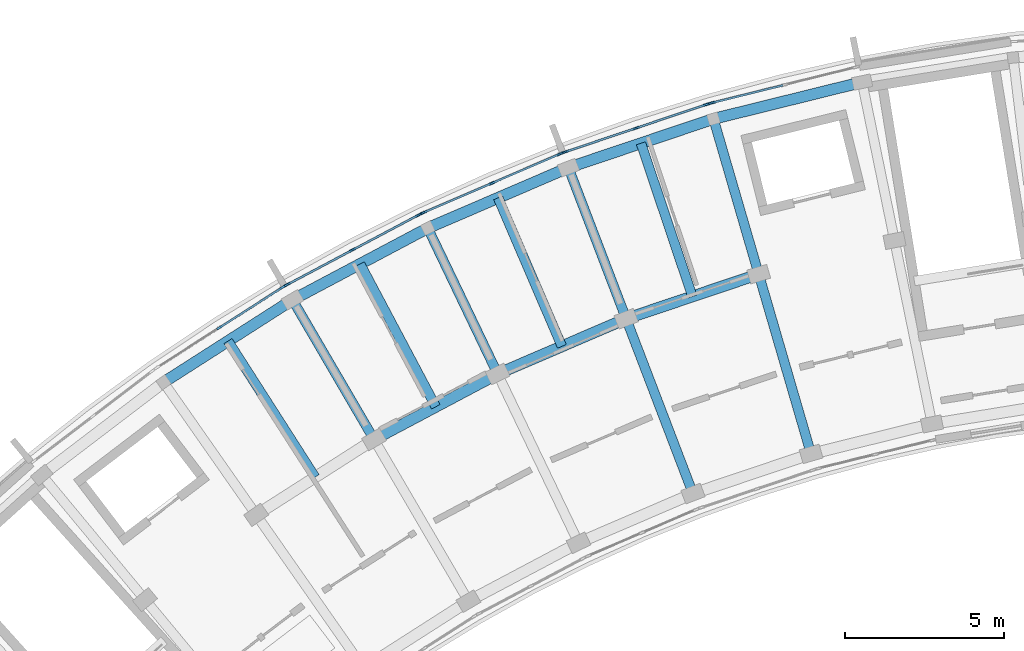
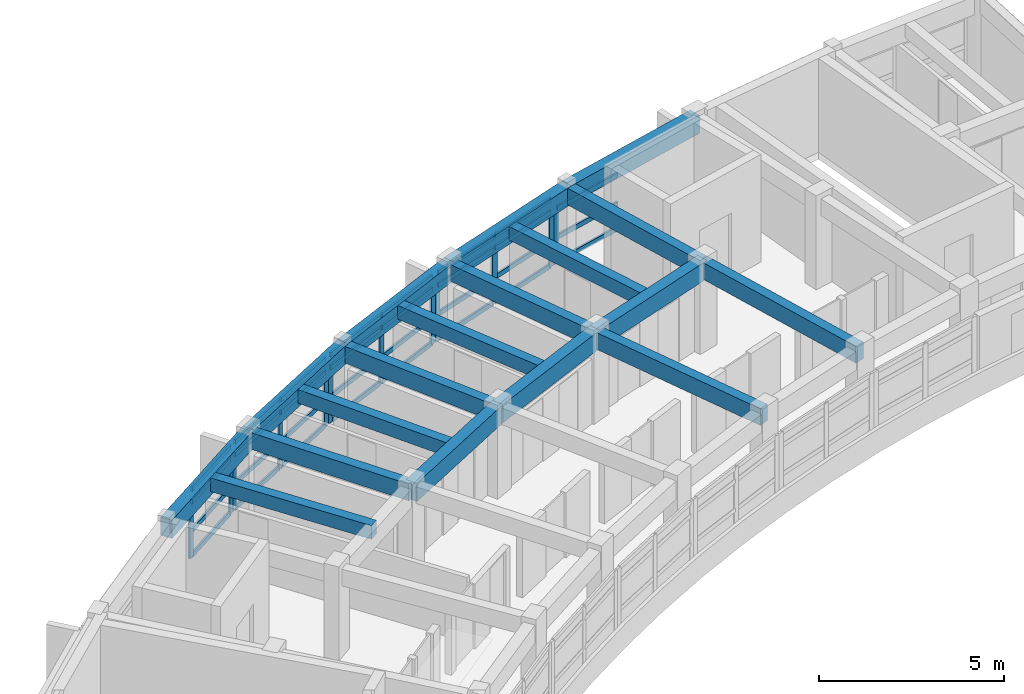
# One storey, part 4 of 11: 43 members, 18 beams, 5 elements without a shape of their own.
"""IFC4 building model written with IfcOpenShell, lengths in metres."""

from ifc_helpers import new_model, si_unit, direction, frame, origin, origin_2d, place, context, subcontext, project, spatial, rectangle, extrude, material, material_profile, profile_set, type_object, element, aggregate, save


model = new_model("IFC4")

# Units and contexts
model_context = context("Model", 3, precision=1e-05, world=origin(), true_north=direction((0.0, 1.0)))
body_context = subcontext(model_context, "Body", "Model", "MODEL_VIEW")
ifc_project = project(units=[si_unit("LENGTHUNIT", "METRE"), si_unit("AREAUNIT", "SQUARE_METRE"), si_unit("VOLUMEUNIT", "CUBIC_METRE"), si_unit("PLANEANGLEUNIT", "RADIAN"), si_unit("MASSUNIT", "GRAM", prefix="KILO")], contexts=[model_context])

# Site, building, storey
site_placement = place(None, origin())
site = spatial("IfcSite", under=ifc_project, at=site_placement, CompositionType="ELEMENT")
building_placement = place(site_placement, origin())
building = spatial("IfcBuilding", under=site, at=building_placement, Name="Zimvara Arc Housing Community", CompositionType="ELEMENT")
storey_placement = place(building_placement, frame((0.0, 0.0, 42.199951171875)))
storey = spatial("IfcBuildingStorey", under=building, at=storey_placement, Name="L13", CompositionType="ELEMENT", Elevation=42.199951171875)

# Beams
ifc_material_1 = material(Name="Concrete C40/50", Category="concrete")
ifc_material_profile_1 = material_profile(ifc_material_1, rectangle(XDim=0.300048828125, YDim=0.449951171875, at=origin_2d()), Name="RC 300x450")
ifc_profile_set_1 = profile_set([ifc_material_profile_1], Name="Concrete C40/50")
beam_type_1 = type_object("IfcBeamType", Name="BM-RC-300x450", PredefinedType="JOIST", material=ifc_profile_set_1)
for number, where, z_axis, x_axis, name in (
    (1, (16.0224609375, 89.776123046875, 2.695068359375), (-0.539052331508, 0.842272274206, 0.0), (-0.842272274206, -0.539052331508, 0.0), "bm:blkA:L13:joist:b3"),
    (2, (19.813232421875, 91.9892578125, 2.695068359375), (-0.46853732736, 0.883443701019, 0.0), (-0.883443701019, -0.46853732736, 0.0), "bm:blkA:L13:joist:b4"),
):
    element("IfcBeam", number, at=place(storey_placement, frame(where, z_axis=z_axis, x_axis=x_axis)), inside=storey, type_object=beam_type_1, Name=name, PredefinedType="JOIST", context=body_context, shape_type="SweptSolid", body=[
        extrude(rectangle(XDim=0.300048828125, YDim=0.449951171875, at=origin_2d()), origin(), (0.0, 0.0, 1.0), 5.07568359375),
    ])
beam_1_placement = place(storey_placement, frame((23.77197265625, 93.885986328125, 2.695068359375), z_axis=(-0.394929109608, 0.918711596958, 0.0), x_axis=(-0.918711596958, -0.394929109608, 0.0)))
element("IfcBeam", 3, at=beam_1_placement, inside=storey, type_object=beam_type_1, Name="bm:blkA:L13:joist:b5", PredefinedType="JOIST", context=body_context, shape_type="SweptSolid", body=[
    extrude(rectangle(XDim=0.300048828125, YDim=0.449951171875, at=origin_2d()), origin(), (0.0, 0.0, 1.0), 5.075927734375),
])
beam_2_placement = place(storey_placement, frame((27.8720703125, 95.453369140625, 2.695068359375), z_axis=(-0.318607669836, 0.947886677152, 0.0), x_axis=(-0.947886677152, -0.318607669836, 0.0)))
element("IfcBeam", 4, at=beam_2_placement, inside=storey, type_object=beam_type_1, Name="bm:blkA:L13:joist:b6", PredefinedType="JOIST", context=body_context, shape_type="SweptSolid", body=[
    extrude(rectangle(XDim=0.300048828125, YDim=0.449951171875, at=origin_2d()), origin(), (0.0, 0.0, 1.0), 5.07568359375),
])
ifc_material_2 = material(Name="Concrete C40/50", Category="concrete")
ifc_material_profile_2 = material_profile(ifc_material_2, rectangle(XDim=0.300048828125, YDim=0.550048828125, at=origin_2d()), Name="RC 300x550")
ifc_profile_set_2 = profile_set([ifc_material_profile_2], Name="Concrete C40/50")
beam_type_2 = type_object("IfcBeamType", Name="BM-RC-300x550", PredefinedType="BEAM", material=ifc_profile_set_2)
beam_3_placement = place(storey_placement, frame((17.87255859375, 90.960205078125, 2.64501953125), z_axis=(-0.504196701544, 0.863588840915, 0.0), x_axis=(-0.863588840915, -0.504196701544, 0.0)))
element("IfcBeam", 5, at=beam_3_placement, inside=storey, type_object=beam_type_2, Name="bm:blkA:L13:rad:b4:r23", PredefinedType="BEAM", context=body_context, shape_type="SweptSolid", body=[
    extrude(rectangle(XDim=0.300048828125, YDim=0.550048828125, at=origin_2d()), origin(), (0.0, 0.0, 1.0), 5.079833984375),
])
beam_4_placement = place(storey_placement, frame((21.75390625, 93.0185546875, 2.64501953125), z_axis=(-0.432098194978, 0.901826563091, 0.0), x_axis=(-0.901826563091, -0.432098194978, 0.0)))
element("IfcBeam", 6, at=beam_4_placement, inside=storey, type_object=beam_type_2, Name="bm:blkA:L13:rad:b5:r23", PredefinedType="BEAM", context=body_context, shape_type="SweptSolid", body=[
    extrude(rectangle(XDim=0.300048828125, YDim=0.550048828125, at=origin_2d()), origin(), (0.0, 0.0, 1.0), 5.080078125),
])
beam_5_placement = place(storey_placement, frame((27.889404296875, 89.260986328125, 2.64501953125), z_axis=(-0.357036247742, 0.934090529766, 0.0), x_axis=(-0.934090529766, -0.357036247742, 0.0)))
element("IfcBeam", 7, at=beam_5_placement, inside=storey, type_object=beam_type_2, Name="bm:blkA:L13:rad:b6:r12", PredefinedType="BEAM", context=body_context, shape_type="SweptSolid", body=[
    extrude(rectangle(XDim=0.300048828125, YDim=0.550048828125, at=origin_2d()), origin(), (0.0, 0.0, 1.0), 5.8798828125),
])
beam_6_placement = place(storey_placement, frame((25.7900390625, 94.75341796875, 2.64501953125), z_axis=(-0.357078271386, 0.934074466038, 0.0), x_axis=(-0.934074466038, -0.357078271386, 0.0)))
element("IfcBeam", 8, at=beam_6_placement, inside=storey, type_object=beam_type_2, Name="bm:blkA:L13:rad:b6:r23", PredefinedType="BEAM", context=body_context, shape_type="SweptSolid", body=[
    extrude(rectangle(XDim=0.300048828125, YDim=0.550048828125, at=origin_2d()), origin(), (0.0, 0.0, 1.0), 5.080078125),
])
beam_7_placement = place(storey_placement, frame((31.5986328125, 90.5078125, 2.64501953125), z_axis=(-0.27967473749, 0.960094808449, 0.0), x_axis=(-0.960094808449, -0.27967473749, 0.0)))
element("IfcBeam", 9, at=beam_7_placement, inside=storey, type_object=beam_type_2, Name="bm:blkA:L13:rad:b7:r12", PredefinedType="BEAM", context=body_context, shape_type="SweptSolid", body=[
    extrude(rectangle(XDim=0.300048828125, YDim=0.550048828125, at=origin_2d()), origin(), (0.0, 0.0, 1.0), 5.880126953125),
])
beam_8_placement = place(storey_placement, frame((29.9541015625, 96.1533203125, 2.64501953125), z_axis=(-0.279662254096, 0.960098444762, 0.0), x_axis=(-0.960098444762, -0.279662254096, 0.0)))
element("IfcBeam", 10, at=beam_8_placement, inside=storey, type_object=beam_type_2, Name="bm:blkA:L13:rad:b7:r23", PredefinedType="BEAM", context=body_context, shape_type="SweptSolid", body=[
    extrude(rectangle(XDim=0.300048828125, YDim=0.550048828125, at=origin_2d()), origin(), (0.0, 0.0, 1.0), 5.079833984375),
])
ifc_material_3 = material(Name="Concrete C40/50", Category="concrete")
ifc_material_profile_3 = material_profile(ifc_material_3, rectangle(XDim=0.35009765625, YDim=0.60009765625, at=origin_2d()), Name="RC 350x600")
ifc_profile_set_3 = profile_set([ifc_material_profile_3], Name="Concrete C40/50")
beam_type_3 = type_object("IfcBeamType", Name="BM-RC-350x600", PredefinedType="BEAM", material=ifc_profile_set_3)
for number, where, z_axis, x_axis, name in (
    (11, (17.87255859375, 90.960205078125, 2.6201171875), (0.883456526058, 0.468513144496, 0.0), (-0.468513144496, 0.883456526058, 0.0), "bm:blkA:L13:chord:r2:b4"),
    (12, (21.75390625, 93.0185546875, 2.6201171875), (0.918724840088, 0.394898301093, 0.0), (-0.394898301093, 0.918724840088, 0.0), "bm:blkA:L13:chord:r2:b5"),
):
    element("IfcBeam", number, at=place(storey_placement, frame(where, z_axis=z_axis, x_axis=x_axis)), inside=storey, type_object=beam_type_3, Name=name, PredefinedType="BEAM", context=body_context, shape_type="SweptSolid", body=[
        extrude(rectangle(XDim=0.35009765625, YDim=0.60009765625, at=origin_2d()), origin(), (0.0, 0.0, 1.0), 4.393310546875),
    ])
beam_9_placement = place(storey_placement, frame((25.7900390625, 94.75341796875, 2.6201171875), z_axis=(0.947868796036, 0.318660862832, 0.0), x_axis=(-0.318660862832, 0.947868796036, 0.0)))
element("IfcBeam", 13, at=beam_9_placement, inside=storey, type_object=beam_type_3, Name="bm:blkA:L13:chord:r2:b6", PredefinedType="BEAM", context=body_context, shape_type="SweptSolid", body=[
    extrude(rectangle(XDim=0.35009765625, YDim=0.60009765625, at=origin_2d()), origin(), (0.0, 0.0, 1.0), 4.39306640625),
])
beam_10_placement = place(storey_placement, frame((11.261474609375, 92.755126953125, 2.6201171875), z_axis=(0.842255724028, 0.539078190379, 0.0), x_axis=(-0.539078190379, 0.842255724028, 0.0)))
element("IfcBeam", 14, at=beam_10_placement, inside=storey, type_object=beam_type_3, Name="bm:blkA:L13:chord:r3:b3", PredefinedType="BEAM", context=body_context, shape_type="SweptSolid", body=[
    extrude(rectangle(XDim=0.35009765625, YDim=0.60009765625, at=origin_2d()), origin(), (0.0, 0.0, 1.0), 4.808349609375),
])
beam_11_placement = place(storey_placement, frame((15.311279296875, 95.34716796875, 2.6201171875), z_axis=(0.883445542299, 0.468533855546, 0.0), x_axis=(-0.468533855546, 0.883445542299, 0.0)))
element("IfcBeam", 15, at=beam_11_placement, inside=storey, type_object=beam_type_3, Name="bm:blkA:L13:chord:r3:b4", PredefinedType="BEAM", context=body_context, shape_type="SweptSolid", body=[
    extrude(rectangle(XDim=0.35009765625, YDim=0.60009765625, at=origin_2d()), origin(), (0.0, 0.0, 1.0), 4.807861328125),
])
beam_12_placement = place(storey_placement, frame((19.558837890625, 97.599853515625, 2.6201171875), z_axis=(0.918724276228, 0.394899612901, 0.0), x_axis=(-0.394899612901, 0.918724276228, 0.0)))
element("IfcBeam", 16, at=beam_12_placement, inside=storey, type_object=beam_type_3, Name="bm:blkA:L13:chord:r3:b5", PredefinedType="BEAM", context=body_context, shape_type="SweptSolid", body=[
    extrude(rectangle(XDim=0.35009765625, YDim=0.60009765625, at=origin_2d()), origin(), (0.0, 0.0, 1.0), 4.80810546875),
])
beam_13_placement = place(storey_placement, frame((23.97607421875, 99.49853515625, 2.6201171875), z_axis=(0.947877948153, 0.31863363822, 0.0), x_axis=(-0.31863363822, 0.947877948153, 0.0)))
element("IfcBeam", 17, at=beam_13_placement, inside=storey, type_object=beam_type_3, Name="bm:blkA:L13:chord:r3:b6", PredefinedType="BEAM", context=body_context, shape_type="SweptSolid", body=[
    extrude(rectangle(XDim=0.35009765625, YDim=0.60009765625, at=origin_2d()), origin(), (0.0, 0.0, 1.0), 4.807861328125),
])
beam_14_placement = place(storey_placement, frame((28.533447265625, 101.030517578125, 2.6201171875), z_axis=(0.970716235341, 0.240229037474, 0.0), x_axis=(-0.240229037474, 0.970716235341, 0.0)))
element("IfcBeam", 18, at=beam_14_placement, inside=storey, type_object=beam_type_3, Name="bm:blkA:L13:chord:r3:b7", PredefinedType="BEAM", context=body_context, shape_type="SweptSolid", body=[
    extrude(rectangle(XDim=0.35009765625, YDim=0.60009765625, at=origin_2d()), origin(), (0.0, 0.0, 1.0), 4.80810546875),
])

# Curtain wall, members
ifc_material_4 = material(Name="Anodised Aluminium AW-6063", Category="aluminium")
curtain_wall_type_1 = type_object("IfcCurtainWallType", Name="CW-SYS-05", PredefinedType="USERDEFINED", material=ifc_material_4)
curtain_wall_1_placement = place(storey_placement, origin())
curtain_wall_1 = element("IfcCurtainWall", 19, at=curtain_wall_1_placement, inside=storey, type_object=curtain_wall_type_1, Name="cw:blkA:L13:out:b3", ObjectType="CURTAIN WALL", PredefinedType="USERDEFINED")
ifc_material_5 = material(Name="Anodised Aluminium AW-6063", Category="aluminium")
ifc_material_profile_4 = material_profile(ifc_material_5, rectangle(XDim=0.06494140625, YDim=0.195068359375, at=origin_2d()), Name="ALU 65x195")
ifc_profile_set_4 = profile_set([ifc_material_profile_4], Name="Anodised Aluminium AW-6063")
member_type_1 = type_object("IfcMemberType", Name="CWM-65x180", PredefinedType="MULLION", material=ifc_profile_set_4)
member_1_placement = place(storey_placement, frame((13.01708984375, 94.471923828125, 0.0), z_axis=(0.0, 0.0, 1.0), x_axis=(-0.539064617721, 0.842264410931, 0.0)))
member_1 = element("IfcMember", 20, at=member_1_placement, type_object=member_type_1, Name="CW05 mullion 2", PredefinedType="MULLION", context=body_context, shape_type="SweptSolid", body=[
    extrude(rectangle(XDim=0.06494140625, YDim=0.195068359375, at=origin_2d()), origin(), (0.0, 0.0, 1.0), 2.25),
])
member_2_placement = place(storey_placement, frame((14.981201171875, 95.72900390625, 0.0), z_axis=(0.0, 0.0, 1.0), x_axis=(-0.539064617721, 0.842264410931, 0.0)))
member_2 = element("IfcMember", 21, at=member_2_placement, type_object=member_type_1, Name="CW05 mullion 3", PredefinedType="MULLION", context=body_context, shape_type="SweptSolid", body=[
    extrude(rectangle(XDim=0.06494140625, YDim=0.195068359375, at=origin_2d()), origin(), (0.0, 0.0, 1.0), 2.25),
])

ifc_material_6 = material(Name="Anodised Aluminium AW-6063", Category="aluminium")
curtain_wall_type_2 = type_object("IfcCurtainWallType", Name="CW-SYS-07", PredefinedType="USERDEFINED", material=ifc_material_6)
curtain_wall_2_placement = place(storey_placement, origin())
curtain_wall_2 = element("IfcCurtainWall", 22, at=curtain_wall_2_placement, inside=storey, type_object=curtain_wall_type_2, Name="cw:blkA:L13:out:b4", ObjectType="CURTAIN WALL", PredefinedType="USERDEFINED")
member_3_placement = place(storey_placement, frame((15.140869140625, 95.822265625, 0.0), z_axis=(0.0, 0.0, 1.0), x_axis=(-0.468546917761, 0.883438614651, 0.0)))
member_3 = element("IfcMember", 23, at=member_3_placement, type_object=member_type_1, Name="CW07 mullion 1", PredefinedType="MULLION", context=body_context, shape_type="SweptSolid", body=[
    extrude(rectangle(XDim=0.06494140625, YDim=0.195068359375, at=origin_2d()), origin(), (0.0, 0.0, 1.0), 2.25),
])
member_4_placement = place(storey_placement, frame((17.200927734375, 96.914794921875, 0.0), z_axis=(0.0, 0.0, 1.0), x_axis=(-0.468546917761, 0.883438614651, 0.0)))
member_4 = element("IfcMember", 24, at=member_4_placement, type_object=member_type_1, Name="CW07 mullion 2", PredefinedType="MULLION", context=body_context, shape_type="SweptSolid", body=[
    extrude(rectangle(XDim=0.06494140625, YDim=0.195068359375, at=origin_2d()), origin(), (0.0, 0.0, 1.0), 2.25),
])
member_5_placement = place(storey_placement, frame((19.260986328125, 98.007568359375, 0.0), z_axis=(0.0, 0.0, 1.0), x_axis=(-0.468546917761, 0.883438614651, 0.0)))
member_5 = element("IfcMember", 25, at=member_5_placement, type_object=member_type_1, Name="CW07 mullion 3", PredefinedType="MULLION", context=body_context, shape_type="SweptSolid", body=[
    extrude(rectangle(XDim=0.06494140625, YDim=0.195068359375, at=origin_2d()), origin(), (0.0, 0.0, 1.0), 2.25),
])

ifc_material_7 = material(Name="Anodised Aluminium AW-6063", Category="aluminium")
curtain_wall_type_3 = type_object("IfcCurtainWallType", Name="CW-SYS-01", PredefinedType="USERDEFINED", material=ifc_material_7)
curtain_wall_3_placement = place(storey_placement, origin())
curtain_wall_3 = element("IfcCurtainWall", 26, at=curtain_wall_3_placement, inside=storey, type_object=curtain_wall_type_3, Name="cw:blkA:L13:out:b5", ObjectType="CURTAIN WALL", PredefinedType="USERDEFINED")
member_6_placement = place(storey_placement, frame((19.427734375, 98.08740234375, 0.0), z_axis=(0.0, 0.0, 1.0), x_axis=(-0.394904211998, 0.918722299363, 0.0)))
member_6 = element("IfcMember", 27, at=member_6_placement, type_object=member_type_1, Name="CW01 mullion 1", PredefinedType="MULLION", context=body_context, shape_type="SweptSolid", body=[
    extrude(rectangle(XDim=0.06494140625, YDim=0.195068359375, at=origin_2d()), origin(), (0.0, 0.0, 1.0), 2.25),
])
member_7_placement = place(storey_placement, frame((21.570068359375, 99.00830078125, 0.0), z_axis=(0.0, 0.0, 1.0), x_axis=(-0.394904211998, 0.918722299363, 0.0)))
member_7 = element("IfcMember", 28, at=member_7_placement, type_object=member_type_1, Name="CW01 mullion 2", PredefinedType="MULLION", context=body_context, shape_type="SweptSolid", body=[
    extrude(rectangle(XDim=0.06494140625, YDim=0.195068359375, at=origin_2d()), origin(), (0.0, 0.0, 1.0), 2.25),
])
member_8_placement = place(storey_placement, frame((23.712646484375, 99.92919921875, 0.0), z_axis=(0.0, 0.0, 1.0), x_axis=(-0.394904211998, 0.918722299363, 0.0)))
member_8 = element("IfcMember", 29, at=member_8_placement, type_object=member_type_1, Name="CW01 mullion 3", PredefinedType="MULLION", context=body_context, shape_type="SweptSolid", body=[
    extrude(rectangle(XDim=0.06494140625, YDim=0.195068359375, at=origin_2d()), origin(), (0.0, 0.0, 1.0), 2.25),
])

ifc_material_8 = material(Name="Anodised Aluminium AW-6063", Category="aluminium")
curtain_wall_type_4 = type_object("IfcCurtainWallType", Name="CW-SYS-03", PredefinedType="USERDEFINED", material=ifc_material_8)
curtain_wall_4_placement = place(storey_placement, origin())
curtain_wall_4 = element("IfcCurtainWall", 30, at=curtain_wall_4_placement, inside=storey, type_object=curtain_wall_type_4, Name="cw:blkA:L13:out:b6", ObjectType="CURTAIN WALL", PredefinedType="USERDEFINED")
member_9_placement = place(storey_placement, frame((23.88525390625, 99.9951171875, 0.0), z_axis=(0.0, 0.0, 1.0), x_axis=(-0.318628583921, 0.947879647164, 0.0)))
member_9 = element("IfcMember", 31, at=member_9_placement, type_object=member_type_1, Name="CW03 mullion 1", PredefinedType="MULLION", context=body_context, shape_type="SweptSolid", body=[
    extrude(rectangle(XDim=0.06494140625, YDim=0.195068359375, at=origin_2d()), origin(), (0.0, 0.0, 1.0), 2.25),
])
member_10_placement = place(storey_placement, frame((26.095703125, 100.73828125, 0.0), z_axis=(0.0, 0.0, 1.0), x_axis=(-0.318628583921, 0.947879647164, 0.0)))
member_10 = element("IfcMember", 32, at=member_10_placement, type_object=member_type_1, Name="CW03 mullion 2", PredefinedType="MULLION", context=body_context, shape_type="SweptSolid", body=[
    extrude(rectangle(XDim=0.06494140625, YDim=0.195068359375, at=origin_2d()), origin(), (0.0, 0.0, 1.0), 2.25),
])
member_11_placement = place(storey_placement, frame((28.305908203125, 101.481201171875, 0.0), z_axis=(0.0, 0.0, 1.0), x_axis=(-0.318628583921, 0.947879647164, 0.0)))
member_11 = element("IfcMember", 33, at=member_11_placement, type_object=member_type_1, Name="CW03 mullion 3", PredefinedType="MULLION", context=body_context, shape_type="SweptSolid", body=[
    extrude(rectangle(XDim=0.06494140625, YDim=0.195068359375, at=origin_2d()), origin(), (0.0, 0.0, 1.0), 2.25),
])

# Curtain wall, member
curtain_wall_5_placement = place(storey_placement, origin())
curtain_wall_5 = element("IfcCurtainWall", 34, at=curtain_wall_5_placement, inside=storey, type_object=curtain_wall_type_1, Name="cw:blkA:L13:out:b7", ObjectType="CURTAIN WALL", PredefinedType="USERDEFINED")
member_12_placement = place(storey_placement, frame((28.4833984375, 101.532958984375, 0.0), z_axis=(0.0, 0.0, 1.0), x_axis=(-0.240229711131, 0.970716068627, 0.0)))
member_12 = element("IfcMember", 35, at=member_12_placement, type_object=member_type_1, Name="CW05 mullion 1", PredefinedType="MULLION", context=body_context, shape_type="SweptSolid", body=[
    extrude(rectangle(XDim=0.06494140625, YDim=0.195068359375, at=origin_2d()), origin(), (0.0, 0.0, 1.0), 2.25),
])

# Member
ifc_material_9 = material(Name="Anodised Aluminium AW-6063", Category="aluminium")
ifc_material_profile_5 = material_profile(ifc_material_9, rectangle(XDim=0.06494140625, YDim=0.155029296875, at=origin_2d()), Name="ALU 65x155")
ifc_profile_set_5 = profile_set([ifc_material_profile_5], Name="Anodised Aluminium AW-6063")
member_type_2 = type_object("IfcMemberType", Name="CWT-65x140", PredefinedType="USERDEFINED", material=ifc_profile_set_5)
member_13_placement = place(storey_placement, frame((13.04443359375, 94.489501953125, 0.032470703125), z_axis=(0.842292914806, 0.539020079095, 0.0), x_axis=(-0.539020079095, 0.842292914806, 0.0)))
member_13 = element("IfcMember", 36, at=member_13_placement, type_object=member_type_2, Name="CW05 transom 2.1", ObjectType="TRANSOM", PredefinedType="USERDEFINED", context=body_context, shape_type="SweptSolid", body=[
    extrude(rectangle(XDim=0.06494140625, YDim=0.155029296875, at=origin_2d()), origin(), (0.0, 0.0, 1.0), 2.266845703125),
])

member_14_placement = place(storey_placement, frame((13.04443359375, 94.489501953125, 0.85009765625), z_axis=(0.842292914806, 0.539020079095, 0.0), x_axis=(-0.539020079095, 0.842292914806, 0.0)))
member_14 = element("IfcMember", 37, at=member_14_placement, type_object=member_type_2, Name="CW05 transom 2.2", ObjectType="TRANSOM", PredefinedType="USERDEFINED", context=body_context, shape_type="SweptSolid", body=[
    extrude(rectangle(XDim=0.06494140625, YDim=0.155029296875, at=origin_2d()), origin(), (0.0, 0.0, 1.0), 2.266845703125),
])

member_15_placement = place(storey_placement, frame((13.04443359375, 94.489501953125, 1.800048828125), z_axis=(0.842292914806, 0.539020079095, 0.0), x_axis=(-0.539020079095, 0.842292914806, 0.0)))
member_15 = element("IfcMember", 38, at=member_15_placement, type_object=member_type_2, Name="CW05 transom 2.3", ObjectType="TRANSOM", PredefinedType="USERDEFINED", context=body_context, shape_type="SweptSolid", body=[
    extrude(rectangle(XDim=0.06494140625, YDim=0.155029296875, at=origin_2d()), origin(), (0.0, 0.0, 1.0), 2.266845703125),
])

member_16_placement = place(storey_placement, frame((13.04443359375, 94.489501953125, 2.217529296875), z_axis=(0.842292914806, 0.539020079095, 0.0), x_axis=(-0.539020079095, 0.842292914806, 0.0)))
member_16 = element("IfcMember", 39, at=member_16_placement, type_object=member_type_2, Name="CW05 transom 2.4", ObjectType="TRANSOM", PredefinedType="USERDEFINED", context=body_context, shape_type="SweptSolid", body=[
    extrude(rectangle(XDim=0.06494140625, YDim=0.155029296875, at=origin_2d()), origin(), (0.0, 0.0, 1.0), 2.266845703125),
])

aggregate(curtain_wall_1, [member_1, member_2, member_13, member_14, member_15, member_16])

member_17_placement = place(storey_placement, frame((15.16943359375, 95.83740234375, 0.032470703125), z_axis=(0.883420900208, 0.468580316568, 0.0), x_axis=(-0.468580316568, 0.883420900208, 0.0)))
member_17 = element("IfcMember", 40, at=member_17_placement, type_object=member_type_2, Name="CW07 transom 1.1", ObjectType="TRANSOM", PredefinedType="USERDEFINED", context=body_context, shape_type="SweptSolid", body=[
    extrude(rectangle(XDim=0.06494140625, YDim=0.155029296875, at=origin_2d()), origin(), (0.0, 0.0, 1.0), 2.266845703125),
])

member_18_placement = place(storey_placement, frame((15.16943359375, 95.83740234375, 0.85009765625), z_axis=(0.883420900208, 0.468580316568, 0.0), x_axis=(-0.468580316568, 0.883420900208, 0.0)))
member_18 = element("IfcMember", 41, at=member_18_placement, type_object=member_type_2, Name="CW07 transom 1.2", ObjectType="TRANSOM", PredefinedType="USERDEFINED", context=body_context, shape_type="SweptSolid", body=[
    extrude(rectangle(XDim=0.06494140625, YDim=0.155029296875, at=origin_2d()), origin(), (0.0, 0.0, 1.0), 2.266845703125),
])

member_19_placement = place(storey_placement, frame((15.16943359375, 95.83740234375, 1.800048828125), z_axis=(0.883420900208, 0.468580316568, 0.0), x_axis=(-0.468580316568, 0.883420900208, 0.0)))
member_19 = element("IfcMember", 42, at=member_19_placement, type_object=member_type_2, Name="CW07 transom 1.3", ObjectType="TRANSOM", PredefinedType="USERDEFINED", context=body_context, shape_type="SweptSolid", body=[
    extrude(rectangle(XDim=0.06494140625, YDim=0.155029296875, at=origin_2d()), origin(), (0.0, 0.0, 1.0), 2.266845703125),
])

member_20_placement = place(storey_placement, frame((15.16943359375, 95.83740234375, 2.217529296875), z_axis=(0.883420900208, 0.468580316568, 0.0), x_axis=(-0.468580316568, 0.883420900208, 0.0)))
member_20 = element("IfcMember", 43, at=member_20_placement, type_object=member_type_2, Name="CW07 transom 1.4", ObjectType="TRANSOM", PredefinedType="USERDEFINED", context=body_context, shape_type="SweptSolid", body=[
    extrude(rectangle(XDim=0.06494140625, YDim=0.155029296875, at=origin_2d()), origin(), (0.0, 0.0, 1.0), 2.266845703125),
])

member_21_placement = place(storey_placement, frame((17.2294921875, 96.93017578125, 0.032470703125), z_axis=(0.883489114766, 0.468451688107, 0.0), x_axis=(-0.468451688107, 0.883489114766, 0.0)))
member_21 = element("IfcMember", 44, at=member_21_placement, type_object=member_type_2, Name="CW07 transom 2.1", ObjectType="TRANSOM", PredefinedType="USERDEFINED", context=body_context, shape_type="SweptSolid", body=[
    extrude(rectangle(XDim=0.06494140625, YDim=0.155029296875, at=origin_2d()), origin(), (0.0, 0.0, 1.0), 2.26708984375),
])

member_22_placement = place(storey_placement, frame((17.2294921875, 96.93017578125, 0.85009765625), z_axis=(0.883489114766, 0.468451688107, 0.0), x_axis=(-0.468451688107, 0.883489114766, 0.0)))
member_22 = element("IfcMember", 45, at=member_22_placement, type_object=member_type_2, Name="CW07 transom 2.2", ObjectType="TRANSOM", PredefinedType="USERDEFINED", context=body_context, shape_type="SweptSolid", body=[
    extrude(rectangle(XDim=0.06494140625, YDim=0.155029296875, at=origin_2d()), origin(), (0.0, 0.0, 1.0), 2.26708984375),
])

member_23_placement = place(storey_placement, frame((17.2294921875, 96.93017578125, 1.800048828125), z_axis=(0.883489114766, 0.468451688107, 0.0), x_axis=(-0.468451688107, 0.883489114766, 0.0)))
member_23 = element("IfcMember", 46, at=member_23_placement, type_object=member_type_2, Name="CW07 transom 2.3", ObjectType="TRANSOM", PredefinedType="USERDEFINED", context=body_context, shape_type="SweptSolid", body=[
    extrude(rectangle(XDim=0.06494140625, YDim=0.155029296875, at=origin_2d()), origin(), (0.0, 0.0, 1.0), 2.26708984375),
])

member_24_placement = place(storey_placement, frame((17.2294921875, 96.93017578125, 2.217529296875), z_axis=(0.883489114766, 0.468451688107, 0.0), x_axis=(-0.468451688107, 0.883489114766, 0.0)))
member_24 = element("IfcMember", 47, at=member_24_placement, type_object=member_type_2, Name="CW07 transom 2.4", ObjectType="TRANSOM", PredefinedType="USERDEFINED", context=body_context, shape_type="SweptSolid", body=[
    extrude(rectangle(XDim=0.06494140625, YDim=0.155029296875, at=origin_2d()), origin(), (0.0, 0.0, 1.0), 2.26708984375),
])

aggregate(curtain_wall_2, [member_3, member_4, member_5, member_17, member_18, member_19, member_20, member_21, member_22, member_23, member_24])

member_25_placement = place(storey_placement, frame((19.45751953125, 98.10009765625, 0.032470703125), z_axis=(0.918721157939, 0.394906867444, 0.0), x_axis=(-0.394906867444, 0.918721157939, 0.0)))
member_25 = element("IfcMember", 48, at=member_25_placement, type_object=member_type_2, Name="CW01 transom 1.1", ObjectType="TRANSOM", PredefinedType="USERDEFINED", context=body_context, shape_type="SweptSolid", body=[
    extrude(rectangle(XDim=0.06494140625, YDim=0.155029296875, at=origin_2d()), origin(), (0.0, 0.0, 1.0), 2.26708984375),
])

member_26_placement = place(storey_placement, frame((19.45751953125, 98.10009765625, 0.85009765625), z_axis=(0.918721157939, 0.394906867444, 0.0), x_axis=(-0.394906867444, 0.918721157939, 0.0)))
member_26 = element("IfcMember", 49, at=member_26_placement, type_object=member_type_2, Name="CW01 transom 1.2", ObjectType="TRANSOM", PredefinedType="USERDEFINED", context=body_context, shape_type="SweptSolid", body=[
    extrude(rectangle(XDim=0.06494140625, YDim=0.155029296875, at=origin_2d()), origin(), (0.0, 0.0, 1.0), 2.26708984375),
])

member_27_placement = place(storey_placement, frame((19.45751953125, 98.10009765625, 1.800048828125), z_axis=(0.918721157939, 0.394906867444, 0.0), x_axis=(-0.394906867444, 0.918721157939, 0.0)))
member_27 = element("IfcMember", 50, at=member_27_placement, type_object=member_type_2, Name="CW01 transom 1.3", ObjectType="TRANSOM", PredefinedType="USERDEFINED", context=body_context, shape_type="SweptSolid", body=[
    extrude(rectangle(XDim=0.06494140625, YDim=0.155029296875, at=origin_2d()), origin(), (0.0, 0.0, 1.0), 2.26708984375),
])

member_28_placement = place(storey_placement, frame((19.45751953125, 98.10009765625, 2.217529296875), z_axis=(0.918721157939, 0.394906867444, 0.0), x_axis=(-0.394906867444, 0.918721157939, 0.0)))
member_28 = element("IfcMember", 51, at=member_28_placement, type_object=member_type_2, Name="CW01 transom 1.4", ObjectType="TRANSOM", PredefinedType="USERDEFINED", context=body_context, shape_type="SweptSolid", body=[
    extrude(rectangle(XDim=0.06494140625, YDim=0.155029296875, at=origin_2d()), origin(), (0.0, 0.0, 1.0), 2.26708984375),
])

member_29_placement = place(storey_placement, frame((21.60009765625, 99.02099609375, 0.032470703125), z_axis=(0.918704360712, 0.394945942641, 0.0), x_axis=(-0.394945942641, 0.918704360712, 0.0)))
member_29 = element("IfcMember", 52, at=member_29_placement, type_object=member_type_2, Name="CW01 transom 2.1", ObjectType="TRANSOM", PredefinedType="USERDEFINED", context=body_context, shape_type="SweptSolid", body=[
    extrude(rectangle(XDim=0.06494140625, YDim=0.155029296875, at=origin_2d()), origin(), (0.0, 0.0, 1.0), 2.266845703125),
])

member_30_placement = place(storey_placement, frame((21.60009765625, 99.02099609375, 0.85009765625), z_axis=(0.918704360712, 0.394945942641, 0.0), x_axis=(-0.394945942641, 0.918704360712, 0.0)))
member_30 = element("IfcMember", 53, at=member_30_placement, type_object=member_type_2, Name="CW01 transom 2.2", ObjectType="TRANSOM", PredefinedType="USERDEFINED", context=body_context, shape_type="SweptSolid", body=[
    extrude(rectangle(XDim=0.06494140625, YDim=0.155029296875, at=origin_2d()), origin(), (0.0, 0.0, 1.0), 2.266845703125),
])

member_31_placement = place(storey_placement, frame((21.60009765625, 99.02099609375, 1.800048828125), z_axis=(0.918704360712, 0.394945942641, 0.0), x_axis=(-0.394945942641, 0.918704360712, 0.0)))
member_31 = element("IfcMember", 54, at=member_31_placement, type_object=member_type_2, Name="CW01 transom 2.3", ObjectType="TRANSOM", PredefinedType="USERDEFINED", context=body_context, shape_type="SweptSolid", body=[
    extrude(rectangle(XDim=0.06494140625, YDim=0.155029296875, at=origin_2d()), origin(), (0.0, 0.0, 1.0), 2.266845703125),
])

member_32_placement = place(storey_placement, frame((21.60009765625, 99.02099609375, 2.217529296875), z_axis=(0.918704360712, 0.394945942641, 0.0), x_axis=(-0.394945942641, 0.918704360712, 0.0)))
member_32 = element("IfcMember", 55, at=member_32_placement, type_object=member_type_2, Name="CW01 transom 2.4", ObjectType="TRANSOM", PredefinedType="USERDEFINED", context=body_context, shape_type="SweptSolid", body=[
    extrude(rectangle(XDim=0.06494140625, YDim=0.155029296875, at=origin_2d()), origin(), (0.0, 0.0, 1.0), 2.266845703125),
])

aggregate(curtain_wall_3, [member_6, member_7, member_8, member_25, member_26, member_27, member_28, member_29, member_30, member_31, member_32])

member_33_placement = place(storey_placement, frame((23.916015625, 100.00537109375, 0.032470703125), z_axis=(0.947861605379, 0.318682250916, 0.0), x_axis=(-0.318682250916, 0.947861605379, 0.0)))
member_33 = element("IfcMember", 56, at=member_33_placement, type_object=member_type_2, Name="CW03 transom 1.1", ObjectType="TRANSOM", PredefinedType="USERDEFINED", context=body_context, shape_type="SweptSolid", body=[
    extrude(rectangle(XDim=0.06494140625, YDim=0.155029296875, at=origin_2d()), origin(), (0.0, 0.0, 1.0), 2.266845703125),
])

member_34_placement = place(storey_placement, frame((23.916015625, 100.00537109375, 0.85009765625), z_axis=(0.947861605379, 0.318682250916, 0.0), x_axis=(-0.318682250916, 0.947861605379, 0.0)))
member_34 = element("IfcMember", 57, at=member_34_placement, type_object=member_type_2, Name="CW03 transom 1.2", ObjectType="TRANSOM", PredefinedType="USERDEFINED", context=body_context, shape_type="SweptSolid", body=[
    extrude(rectangle(XDim=0.06494140625, YDim=0.155029296875, at=origin_2d()), origin(), (0.0, 0.0, 1.0), 2.266845703125),
])

member_35_placement = place(storey_placement, frame((23.916015625, 100.00537109375, 1.800048828125), z_axis=(0.947861605379, 0.318682250916, 0.0), x_axis=(-0.318682250916, 0.947861605379, 0.0)))
member_35 = element("IfcMember", 58, at=member_35_placement, type_object=member_type_2, Name="CW03 transom 1.3", ObjectType="TRANSOM", PredefinedType="USERDEFINED", context=body_context, shape_type="SweptSolid", body=[
    extrude(rectangle(XDim=0.06494140625, YDim=0.155029296875, at=origin_2d()), origin(), (0.0, 0.0, 1.0), 2.266845703125),
])

member_36_placement = place(storey_placement, frame((23.916015625, 100.00537109375, 2.217529296875), z_axis=(0.947861605379, 0.318682250916, 0.0), x_axis=(-0.318682250916, 0.947861605379, 0.0)))
member_36 = element("IfcMember", 59, at=member_36_placement, type_object=member_type_2, Name="CW03 transom 1.4", ObjectType="TRANSOM", PredefinedType="USERDEFINED", context=body_context, shape_type="SweptSolid", body=[
    extrude(rectangle(XDim=0.06494140625, YDim=0.155029296875, at=origin_2d()), origin(), (0.0, 0.0, 1.0), 2.266845703125),
])

member_37_placement = place(storey_placement, frame((26.12646484375, 100.74853515625, 0.032470703125), z_axis=(0.947861605379, 0.318682250916, 0.0), x_axis=(-0.318682250916, 0.947861605379, 0.0)))
member_37 = element("IfcMember", 60, at=member_37_placement, type_object=member_type_2, Name="CW03 transom 2.1", ObjectType="TRANSOM", PredefinedType="USERDEFINED", context=body_context, shape_type="SweptSolid", body=[
    extrude(rectangle(XDim=0.06494140625, YDim=0.155029296875, at=origin_2d()), origin(), (0.0, 0.0, 1.0), 2.266845703125),
])

member_38_placement = place(storey_placement, frame((26.12646484375, 100.74853515625, 0.85009765625), z_axis=(0.947861605379, 0.318682250916, 0.0), x_axis=(-0.318682250916, 0.947861605379, 0.0)))
member_38 = element("IfcMember", 61, at=member_38_placement, type_object=member_type_2, Name="CW03 transom 2.2", ObjectType="TRANSOM", PredefinedType="USERDEFINED", context=body_context, shape_type="SweptSolid", body=[
    extrude(rectangle(XDim=0.06494140625, YDim=0.155029296875, at=origin_2d()), origin(), (0.0, 0.0, 1.0), 2.266845703125),
])

member_39_placement = place(storey_placement, frame((26.12646484375, 100.74853515625, 1.800048828125), z_axis=(0.947861605379, 0.318682250916, 0.0), x_axis=(-0.318682250916, 0.947861605379, 0.0)))
member_39 = element("IfcMember", 62, at=member_39_placement, type_object=member_type_2, Name="CW03 transom 2.3", ObjectType="TRANSOM", PredefinedType="USERDEFINED", context=body_context, shape_type="SweptSolid", body=[
    extrude(rectangle(XDim=0.06494140625, YDim=0.155029296875, at=origin_2d()), origin(), (0.0, 0.0, 1.0), 2.266845703125),
])

member_40_placement = place(storey_placement, frame((26.12646484375, 100.74853515625, 2.217529296875), z_axis=(0.947861605379, 0.318682250916, 0.0), x_axis=(-0.318682250916, 0.947861605379, 0.0)))
member_40 = element("IfcMember", 63, at=member_40_placement, type_object=member_type_2, Name="CW03 transom 2.4", ObjectType="TRANSOM", PredefinedType="USERDEFINED", context=body_context, shape_type="SweptSolid", body=[
    extrude(rectangle(XDim=0.06494140625, YDim=0.155029296875, at=origin_2d()), origin(), (0.0, 0.0, 1.0), 2.266845703125),
])

aggregate(curtain_wall_4, [member_9, member_10, member_11, member_33, member_34, member_35, member_36, member_37, member_38, member_39, member_40])

member_41_placement = place(storey_placement, frame((28.51513671875, 101.540771484375, 0.032470703125), z_axis=(0.970728837212, 0.240178110172, 0.0), x_axis=(-0.240178110172, 0.970728837212, 0.0)))
member_41 = element("IfcMember", 64, at=member_41_placement, type_object=member_type_2, Name="CW05 transom 1.1", ObjectType="TRANSOM", PredefinedType="USERDEFINED", context=body_context, shape_type="SweptSolid", body=[
    extrude(rectangle(XDim=0.06494140625, YDim=0.155029296875, at=origin_2d()), origin(), (0.0, 0.0, 1.0), 2.266845703125),
])

member_42_placement = place(storey_placement, frame((28.51513671875, 101.540771484375, 0.85009765625), z_axis=(0.970728837212, 0.240178110172, 0.0), x_axis=(-0.240178110172, 0.970728837212, 0.0)))
member_42 = element("IfcMember", 65, at=member_42_placement, type_object=member_type_2, Name="CW05 transom 1.2", ObjectType="TRANSOM", PredefinedType="USERDEFINED", context=body_context, shape_type="SweptSolid", body=[
    extrude(rectangle(XDim=0.06494140625, YDim=0.155029296875, at=origin_2d()), origin(), (0.0, 0.0, 1.0), 2.266845703125),
])

member_43_placement = place(storey_placement, frame((28.51513671875, 101.540771484375, 1.800048828125), z_axis=(0.970728837212, 0.240178110172, 0.0), x_axis=(-0.240178110172, 0.970728837212, 0.0)))
member_43 = element("IfcMember", 66, at=member_43_placement, type_object=member_type_2, Name="CW05 transom 1.3", ObjectType="TRANSOM", PredefinedType="USERDEFINED", context=body_context, shape_type="SweptSolid", body=[
    extrude(rectangle(XDim=0.06494140625, YDim=0.155029296875, at=origin_2d()), origin(), (0.0, 0.0, 1.0), 2.266845703125),
])

aggregate(curtain_wall_5, [member_12, member_41, member_42, member_43])

save(model, "model.ifc")
